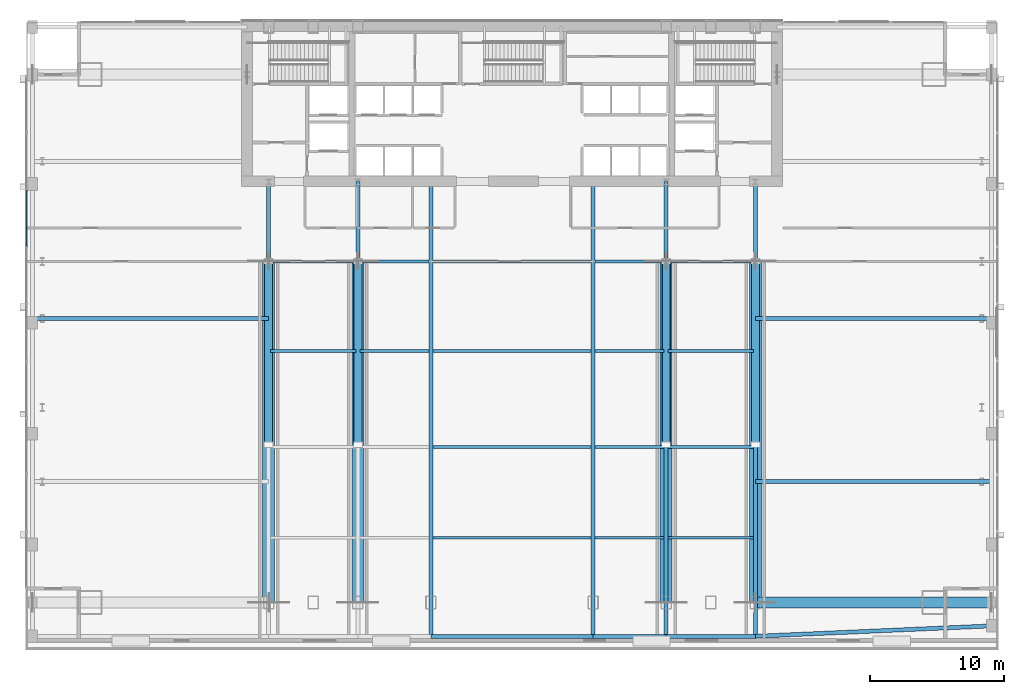
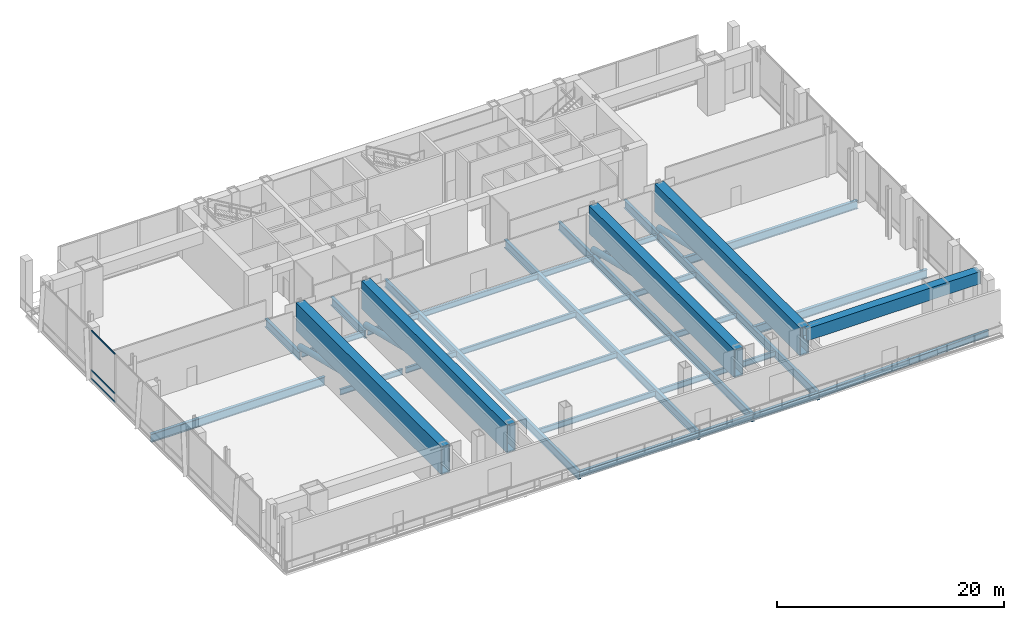
# One storey, part 9 of 26: 36 beams, 7 members, 1 element without a shape of its own.
"""IFC4 building model written with IfcOpenShell, lengths in metres."""

from ifc_helpers import new_model, si_unit, direction, frame, origin, origin_2d, place, context, subcontext, project, spatial, hollow_rectangle, hollow_circle, i_section, extrude, material, material_profile, profile_set, type_object, element, aggregate, save


model = new_model("IFC4")

# Units and contexts
model_context = context("Model", 3, precision=1e-05, world=origin(), true_north=direction((0.0, 1.0)))
body_context = subcontext(model_context, "Body", "Model", "MODEL_VIEW")
ifc_project = project(units=[si_unit("LENGTHUNIT", "METRE"), si_unit("AREAUNIT", "SQUARE_METRE"), si_unit("VOLUMEUNIT", "CUBIC_METRE"), si_unit("PLANEANGLEUNIT", "RADIAN"), si_unit("MASSUNIT", "GRAM", prefix="KILO")], contexts=[model_context])

# Site, building, storey
site_placement = place(None, origin())
site = spatial("IfcSite", under=ifc_project, at=site_placement, CompositionType="ELEMENT")
building_placement = place(site_placement, origin())
building = spatial("IfcBuilding", under=site, at=building_placement, Name="Khoronbel Lancet Exchange", CompositionType="ELEMENT")
storey_placement = place(building_placement, frame((0.0, 0.0, 20.39990234375)))
storey = spatial("IfcBuildingStorey", under=building, at=storey_placement, Name="L04", CompositionType="ELEMENT", Elevation=20.39990234375)

# Beams
ifc_material_1 = material(Name="Steel S355", Category="steel")
ifc_material_profile_1 = material_profile(ifc_material_1, i_section(OverallWidth=0.300048828125, OverallDepth=0.89990234375, WebThickness=0.0185546875, FlangeThickness=0.034912109375, at=origin_2d()), Name="HEB 900")
ifc_profile_set_1 = profile_set([ifc_material_profile_1], Name="Steel S355")
beam_type_1 = type_object("IfcBeamType", Name="BM-BG1", PredefinedType="BEAM", material=ifc_profile_set_1)
for number, where, z_axis, x_axis, name in (
    (1, (18.22509765625, 35.699951171875, -0.669921875), (0.0, 1.0, 0.0), (-1.0, 0.0, 0.0), "Level L04 spine tie girder GN1"),
    (2, (24.89990234375, 35.699951171875, -0.669921875), (0.0, 1.0, 0.0), (-1.0, 0.0, 0.0), "Level L04 spine tie girder GN2"),
):
    element("IfcBeam", number, at=place(storey_placement, frame(where, z_axis=z_axis, x_axis=x_axis)), inside=storey, type_object=beam_type_1, Name=name, PredefinedType="BEAM", context=body_context, shape_type="SweptSolid", body=[
        extrude(i_section(OverallWidth=0.300048828125, OverallDepth=0.89990234375, WebThickness=0.0185546875, FlangeThickness=0.034912109375, at=origin_2d()), origin(), (0.0, 0.0, 1.0), 6.0),
    ])
for number, where, z_axis, x_axis, name in (
    (3, (30.375, 7.6201171875, -0.669921875), (0.0, 1.0, 0.0), (-1.0, 0.0, 0.0), "Level L04 primary floor girder G3"),
    (4, (42.52490234375, 7.6201171875, -0.669921875), (0.0, 1.0, 0.0), (-1.0, 0.0, 0.0), "Level L04 primary floor girder G4"),
):
    element("IfcBeam", number, at=place(storey_placement, frame(where, z_axis=z_axis, x_axis=x_axis)), inside=storey, type_object=beam_type_1, Name=name, PredefinedType="BEAM", context=body_context, shape_type="SweptSolid", body=[
        extrude(i_section(OverallWidth=0.300048828125, OverallDepth=0.89990234375, WebThickness=0.0185546875, FlangeThickness=0.034912109375, at=origin_2d()), origin(), (0.0, 0.0, 1.0), 34.079833984375),
    ])
beam_1_placement = place(storey_placement, frame((48.0, 7.6201171875, -0.669921875), z_axis=(0.0, 1.0, 0.0), x_axis=(-1.0, 0.0, 0.0)))
element("IfcBeam", 5, at=beam_1_placement, inside=storey, type_object=beam_type_1, Name="Level L04 south primary girder GS5", PredefinedType="BEAM", context=body_context, shape_type="SweptSolid", body=[
    extrude(i_section(OverallWidth=0.300048828125, OverallDepth=0.89990234375, WebThickness=0.0185546875, FlangeThickness=0.034912109375, at=origin_2d()), origin(), (0.0, 0.0, 1.0), 28.079833984375),
])
beam_2_placement = place(storey_placement, frame((48.0, 35.699951171875, -0.669921875), z_axis=(0.0, 1.0, 0.0), x_axis=(-1.0, 0.0, 0.0)))
element("IfcBeam", 6, at=beam_2_placement, inside=storey, type_object=beam_type_1, Name="Level L04 spine tie girder GN5", PredefinedType="BEAM", context=body_context, shape_type="SweptSolid", body=[
    extrude(i_section(OverallWidth=0.300048828125, OverallDepth=0.89990234375, WebThickness=0.0185546875, FlangeThickness=0.034912109375, at=origin_2d()), origin(), (0.0, 0.0, 1.0), 6.0),
])
beam_3_placement = place(storey_placement, frame((54.675048828125, 7.6201171875, -0.669921875), z_axis=(0.0, 1.0, 0.0), x_axis=(-1.0, 0.0, 0.0)))
element("IfcBeam", 7, at=beam_3_placement, inside=storey, type_object=beam_type_1, Name="Level L04 south primary girder GS6", PredefinedType="BEAM", context=body_context, shape_type="SweptSolid", body=[
    extrude(i_section(OverallWidth=0.300048828125, OverallDepth=0.89990234375, WebThickness=0.0185546875, FlangeThickness=0.034912109375, at=origin_2d()), origin(), (0.0, 0.0, 1.0), 28.079833984375),
])
beam_4_placement = place(storey_placement, frame((54.675048828125, 35.699951171875, -0.669921875), z_axis=(0.0, 1.0, 0.0), x_axis=(-1.0, 0.0, 0.0)))
element("IfcBeam", 8, at=beam_4_placement, inside=storey, type_object=beam_type_1, Name="Level L04 spine tie girder GN6", PredefinedType="BEAM", context=body_context, shape_type="SweptSolid", body=[
    extrude(i_section(OverallWidth=0.300048828125, OverallDepth=0.89990234375, WebThickness=0.0185546875, FlangeThickness=0.034912109375, at=origin_2d()), origin(), (0.0, 0.0, 1.0), 6.0),
])
for number, where, z_axis, x_axis, name in (
    (9, (54.675048828125, 19.199951171875, -0.669921875), (1.0, 0.0, 0.0), (0.0, 1.0, 0.0), "Level L04 east lens tie girder LG1E"),
    (10, (0.550048828125, 31.425048828125, -0.669921875), (1.0, 0.0, 0.0), (0.0, 1.0, 0.0), "Level L04 west lens tie girder LG2W"),
    (11, (54.675048828125, 31.425048828125, -0.669921875), (1.0, 0.0, 0.0), (0.0, 1.0, 0.0), "Level L04 east lens tie girder LG2E"),
):
    element("IfcBeam", number, at=place(storey_placement, frame(where, z_axis=z_axis, x_axis=x_axis)), inside=storey, type_object=beam_type_1, Name=name, PredefinedType="BEAM", context=body_context, shape_type="SweptSolid", body=[
        extrude(i_section(OverallWidth=0.300048828125, OverallDepth=0.89990234375, WebThickness=0.0185546875, FlangeThickness=0.034912109375, at=origin_2d()), origin(), (0.0, 0.0, 1.0), 17.675048828125),
    ])
ifc_material_profile_2 = material_profile(ifc_material_1, i_section(OverallWidth=0.219970703125, OverallDepth=0.60009765625, WebThickness=0.011962890625, FlangeThickness=0.01904296875, at=origin_2d()), Name="IPE 600")
ifc_profile_set_2 = profile_set([ifc_material_profile_2], Name="Steel S355")
beam_type_2 = type_object("IfcBeamType", Name="BM-BJ1", PredefinedType="JOIST", material=ifc_profile_set_2)
beam_5_placement = place(storey_placement, frame((30.52490234375, 15.0, -0.52001953125), z_axis=(1.0, 0.0, 0.0), x_axis=(0.0, 1.0, 0.0)))
element("IfcBeam", 12, at=beam_5_placement, inside=storey, type_object=beam_type_2, Name="Level L04 secondary composite joist J03", PredefinedType="JOIST", context=body_context, shape_type="SweptSolid", body=[
    extrude(i_section(OverallWidth=0.219970703125, OverallDepth=0.60009765625, WebThickness=0.011962890625, FlangeThickness=0.01904296875, at=origin_2d()), origin(), (0.0, 0.0, 1.0), 11.85009765625),
])
beam_6_placement = place(storey_placement, frame((42.675048828125, 15.0, -0.52001953125), z_axis=(1.0, 0.0, 0.0), x_axis=(0.0, 1.0, 0.0)))
element("IfcBeam", 13, at=beam_6_placement, inside=storey, type_object=beam_type_2, Name="Level L04 secondary composite joist J04", PredefinedType="JOIST", context=body_context, shape_type="SweptSolid", body=[
    extrude(i_section(OverallWidth=0.219970703125, OverallDepth=0.60009765625, WebThickness=0.011962890625, FlangeThickness=0.01904296875, at=origin_2d()), origin(), (0.0, 0.0, 1.0), 5.175048828125),
])
beam_7_placement = place(storey_placement, frame((48.14990234375, 15.0, -0.52001953125), z_axis=(1.0, 0.0, 0.0), x_axis=(0.0, 1.0, 0.0)))
element("IfcBeam", 14, at=beam_7_placement, inside=storey, type_object=beam_type_2, Name="Level L04 secondary composite joist J05", PredefinedType="JOIST", context=body_context, shape_type="SweptSolid", body=[
    extrude(i_section(OverallWidth=0.219970703125, OverallDepth=0.60009765625, WebThickness=0.011962890625, FlangeThickness=0.01904296875, at=origin_2d()), origin(), (0.0, 0.0, 1.0), 6.375),
])
beam_8_placement = place(storey_placement, frame((30.52490234375, 21.800048828125, -0.52001953125), z_axis=(1.0, 0.0, 0.0), x_axis=(0.0, 1.0, 0.0)))
element("IfcBeam", 15, at=beam_8_placement, inside=storey, type_object=beam_type_2, Name="Level L04 secondary composite joist J08", PredefinedType="JOIST", context=body_context, shape_type="SweptSolid", body=[
    extrude(i_section(OverallWidth=0.219970703125, OverallDepth=0.60009765625, WebThickness=0.011962890625, FlangeThickness=0.01904296875, at=origin_2d()), origin(), (0.0, 0.0, 1.0), 11.85009765625),
])
beam_9_placement = place(storey_placement, frame((42.675048828125, 21.800048828125, -0.52001953125), z_axis=(1.0, 0.0, 0.0), x_axis=(0.0, 1.0, 0.0)))
element("IfcBeam", 16, at=beam_9_placement, inside=storey, type_object=beam_type_2, Name="Level L04 secondary composite joist J09", PredefinedType="JOIST", context=body_context, shape_type="SweptSolid", body=[
    extrude(i_section(OverallWidth=0.219970703125, OverallDepth=0.60009765625, WebThickness=0.011962890625, FlangeThickness=0.01904296875, at=origin_2d()), origin(), (0.0, 0.0, 1.0), 5.175048828125),
])
for number, where, z_axis, x_axis, name in (
    (17, (48.14990234375, 21.800048828125, -0.52001953125), (1.0, 0.0, 0.0), (0.0, 1.0, 0.0), "Level L04 secondary composite joist J10"),
    (18, (18.375, 29.0, -0.52001953125), (1.0, 0.0, 0.0), (0.0, 1.0, 0.0), "Level L04 secondary composite joist J11"),
):
    element("IfcBeam", number, at=place(storey_placement, frame(where, z_axis=z_axis, x_axis=x_axis)), inside=storey, type_object=beam_type_2, Name=name, PredefinedType="JOIST", context=body_context, shape_type="SweptSolid", body=[
        extrude(i_section(OverallWidth=0.219970703125, OverallDepth=0.60009765625, WebThickness=0.011962890625, FlangeThickness=0.01904296875, at=origin_2d()), origin(), (0.0, 0.0, 1.0), 6.375),
    ])
beam_10_placement = place(storey_placement, frame((25.050048828125, 29.0, -0.52001953125), z_axis=(1.0, 0.0, 0.0), x_axis=(0.0, 1.0, 0.0)))
element("IfcBeam", 19, at=beam_10_placement, inside=storey, type_object=beam_type_2, Name="Level L04 secondary composite joist J12", PredefinedType="JOIST", context=body_context, shape_type="SweptSolid", body=[
    extrude(i_section(OverallWidth=0.219970703125, OverallDepth=0.60009765625, WebThickness=0.011962890625, FlangeThickness=0.01904296875, at=origin_2d()), origin(), (0.0, 0.0, 1.0), 5.175048828125),
])
beam_11_placement = place(storey_placement, frame((30.52490234375, 29.0, -0.52001953125), z_axis=(1.0, 0.0, 0.0), x_axis=(0.0, 1.0, 0.0)))
element("IfcBeam", 20, at=beam_11_placement, inside=storey, type_object=beam_type_2, Name="Level L04 secondary composite joist J13", PredefinedType="JOIST", context=body_context, shape_type="SweptSolid", body=[
    extrude(i_section(OverallWidth=0.219970703125, OverallDepth=0.60009765625, WebThickness=0.011962890625, FlangeThickness=0.01904296875, at=origin_2d()), origin(), (0.0, 0.0, 1.0), 11.85009765625),
])
beam_12_placement = place(storey_placement, frame((42.675048828125, 29.0, -0.52001953125), z_axis=(1.0, 0.0, 0.0), x_axis=(0.0, 1.0, 0.0)))
element("IfcBeam", 21, at=beam_12_placement, inside=storey, type_object=beam_type_2, Name="Level L04 secondary composite joist J14", PredefinedType="JOIST", context=body_context, shape_type="SweptSolid", body=[
    extrude(i_section(OverallWidth=0.219970703125, OverallDepth=0.60009765625, WebThickness=0.011962890625, FlangeThickness=0.01904296875, at=origin_2d()), origin(), (0.0, 0.0, 1.0), 5.175048828125),
])
for number, where, z_axis, x_axis, name in (
    (22, (48.14990234375, 29.0, -0.52001953125), (1.0, 0.0, 0.0), (0.0, 1.0, 0.0), "Level L04 secondary composite joist J15"),
    (23, (18.375, 35.699951171875, -0.52001953125), (1.0, 0.0, 0.0), (0.0, 1.0, 0.0), "Level L04 secondary composite joist J16"),
):
    element("IfcBeam", number, at=place(storey_placement, frame(where, z_axis=z_axis, x_axis=x_axis)), inside=storey, type_object=beam_type_2, Name=name, PredefinedType="JOIST", context=body_context, shape_type="SweptSolid", body=[
        extrude(i_section(OverallWidth=0.219970703125, OverallDepth=0.60009765625, WebThickness=0.011962890625, FlangeThickness=0.01904296875, at=origin_2d()), origin(), (0.0, 0.0, 1.0), 6.375),
    ])
beam_13_placement = place(storey_placement, frame((25.050048828125, 35.699951171875, -0.52001953125), z_axis=(1.0, 0.0, 0.0), x_axis=(0.0, 1.0, 0.0)))
element("IfcBeam", 24, at=beam_13_placement, inside=storey, type_object=beam_type_2, Name="Level L04 secondary composite joist J17", PredefinedType="JOIST", context=body_context, shape_type="SweptSolid", body=[
    extrude(i_section(OverallWidth=0.219970703125, OverallDepth=0.60009765625, WebThickness=0.011962890625, FlangeThickness=0.01904296875, at=origin_2d()), origin(), (0.0, 0.0, 1.0), 5.175048828125),
])
beam_14_placement = place(storey_placement, frame((30.52490234375, 35.699951171875, -0.52001953125), z_axis=(1.0, 0.0, 0.0), x_axis=(0.0, 1.0, 0.0)))
element("IfcBeam", 25, at=beam_14_placement, inside=storey, type_object=beam_type_2, Name="Level L04 secondary composite joist J18", PredefinedType="JOIST", context=body_context, shape_type="SweptSolid", body=[
    extrude(i_section(OverallWidth=0.219970703125, OverallDepth=0.60009765625, WebThickness=0.011962890625, FlangeThickness=0.01904296875, at=origin_2d()), origin(), (0.0, 0.0, 1.0), 11.85009765625),
])
beam_15_placement = place(storey_placement, frame((42.675048828125, 35.699951171875, -0.52001953125), z_axis=(1.0, 0.0, 0.0), x_axis=(0.0, 1.0, 0.0)))
element("IfcBeam", 26, at=beam_15_placement, inside=storey, type_object=beam_type_2, Name="Level L04 secondary composite joist J19", PredefinedType="JOIST", context=body_context, shape_type="SweptSolid", body=[
    extrude(i_section(OverallWidth=0.219970703125, OverallDepth=0.60009765625, WebThickness=0.011962890625, FlangeThickness=0.01904296875, at=origin_2d()), origin(), (0.0, 0.0, 1.0), 5.175048828125),
])
beam_16_placement = place(storey_placement, frame((48.14990234375, 35.699951171875, -0.52001953125), z_axis=(1.0, 0.0, 0.0), x_axis=(0.0, 1.0, 0.0)))
element("IfcBeam", 27, at=beam_16_placement, inside=storey, type_object=beam_type_2, Name="Level L04 secondary composite joist J20", PredefinedType="JOIST", context=body_context, shape_type="SweptSolid", body=[
    extrude(i_section(OverallWidth=0.219970703125, OverallDepth=0.60009765625, WebThickness=0.011962890625, FlangeThickness=0.01904296875, at=origin_2d()), origin(), (0.0, 0.0, 1.0), 6.375),
])
ifc_material_profile_3 = material_profile(ifc_material_1, i_section(OverallWidth=0.300048828125, OverallDepth=0.64990234375, WebThickness=0.01611328125, FlangeThickness=0.031005859375, at=origin_2d()), Name="HEB 650")
ifc_profile_set_3 = profile_set([ifc_material_profile_3], Name="Steel S355")
beam_type_3 = type_object("IfcBeamType", Name="BM-BSP1", PredefinedType="SPANDREL", material=ifc_profile_set_3)
beam_17_placement = place(storey_placement, frame((30.375, 7.6201171875, -0.544921875), z_axis=(1.0, 0.0, 0.0), x_axis=(0.0, 1.0, 0.0)))
element("IfcBeam", 28, at=beam_17_placement, inside=storey, type_object=beam_type_3, Name="Level L04 perimeter spandrel beam SP04", PredefinedType="SPANDREL", context=body_context, shape_type="SweptSolid", body=[
    extrude(i_section(OverallWidth=0.300048828125, OverallDepth=0.64990234375, WebThickness=0.01611328125, FlangeThickness=0.031005859375, at=origin_2d()), origin(), (0.0, 0.0, 1.0), 12.14990234375),
])
beam_18_placement = place(storey_placement, frame((42.52490234375, 7.6201171875, -0.544921875), z_axis=(1.0, 0.0, 0.0), x_axis=(0.0, 1.0, 0.0)))
element("IfcBeam", 29, at=beam_18_placement, inside=storey, type_object=beam_type_3, Name="Level L04 perimeter spandrel beam SP05", PredefinedType="SPANDREL", context=body_context, shape_type="SweptSolid", body=[
    extrude(i_section(OverallWidth=0.300048828125, OverallDepth=0.64990234375, WebThickness=0.01611328125, FlangeThickness=0.031005859375, at=origin_2d()), origin(), (0.0, 0.0, 1.0), 5.47509765625),
])
beam_19_placement = place(storey_placement, frame((48.0, 7.6201171875, -0.544921875), z_axis=(1.0, 0.0, 0.0), x_axis=(0.0, 1.0, 0.0)))
element("IfcBeam", 30, at=beam_19_placement, inside=storey, type_object=beam_type_3, Name="Level L04 perimeter spandrel beam SP06", PredefinedType="SPANDREL", context=body_context, shape_type="SweptSolid", body=[
    extrude(i_section(OverallWidth=0.300048828125, OverallDepth=0.64990234375, WebThickness=0.01611328125, FlangeThickness=0.031005859375, at=origin_2d()), origin(), (0.0, 0.0, 1.0), 6.675048828125),
])
beam_20_placement = place(storey_placement, frame((54.675048828125, 7.6201171875, -0.544921875), z_axis=(0.999028226002, 0.044074977608, 0.0), x_axis=(-0.044074977608, 0.999028226002, 0.0)))
element("IfcBeam", 31, at=beam_20_placement, inside=storey, type_object=beam_type_3, Name="Level L04 perimeter spandrel beam SP07", PredefinedType="SPANDREL", context=body_context, shape_type="SweptSolid", body=[
    extrude(i_section(OverallWidth=0.300048828125, OverallDepth=0.64990234375, WebThickness=0.01611328125, FlangeThickness=0.031005859375, at=origin_2d()), origin(), (0.0, 0.0, 1.0), 17.692138671875),
])
ifc_material_2 = material(Name="Steel S460", Category="steel")
ifc_material_profile_4 = material_profile(ifc_material_2, hollow_rectangle(XDim=0.89990234375, YDim=3.0, WallThickness=0.074951171875, at=origin_2d()), Name="BOX 900x3000x75")
ifc_profile_set_4 = profile_set([ifc_material_profile_4], Name="Steel S460")
beam_type_4 = type_object("IfcBeamType", Name="BM-TG1", PredefinedType="USERDEFINED", material=ifc_profile_set_4)
for number, where, z_axis, x_axis, name in (
    (32, (18.22509765625, 10.14990234375, 3.72021484375), (0.0, 1.0, 0.0), (-1.0, 0.0, 0.0), "Exchange Hall S460 transfer girder TG1"),
    (33, (24.89990234375, 10.14990234375, 3.72021484375), (0.0, 1.0, 0.0), (-1.0, 0.0, 0.0), "Exchange Hall S460 transfer girder TG2"),
    (34, (48.0, 10.14990234375, 3.72021484375), (0.0, 1.0, 0.0), (-1.0, 0.0, 0.0), "Exchange Hall S460 transfer girder TG3"),
    (35, (54.675048828125, 10.14990234375, 3.72021484375), (0.0, 1.0, 0.0), (-1.0, 0.0, 0.0), "Exchange Hall S460 transfer girder TG4"),
):
    element("IfcBeam", number, at=place(storey_placement, frame(where, z_axis=z_axis, x_axis=x_axis)), inside=storey, type_object=beam_type_4, Name=name, ObjectType="TRANSFER GIRDER", PredefinedType="USERDEFINED", context=body_context, shape_type="SweptSolid", body=[
        extrude(hollow_rectangle(XDim=0.89990234375, YDim=3.0, WallThickness=0.074951171875, at=origin_2d()), origin(), (0.0, 0.0, 1.0), 25.550048828125),
    ])
ifc_material_profile_5 = material_profile(ifc_material_2, hollow_rectangle(XDim=0.820068359375, YDim=1.320068359375, WallThickness=0.070068359375, at=origin_2d()), Name="BOX 820x1320x70")
ifc_profile_set_5 = profile_set([ifc_material_profile_5], Name="Steel S460")
beam_type_5 = type_object("IfcBeamType", Name="BM-TG4", PredefinedType="USERDEFINED", material=ifc_profile_set_5)
beam_21_placement = place(storey_placement, frame((54.675048828125, 10.14990234375, 4.56005859375), z_axis=(1.0, 0.0, 0.0), x_axis=(0.0, 1.0, 0.0)))
element("IfcBeam", 36, at=beam_21_placement, inside=storey, type_object=beam_type_5, Name="L04 podium-to-tower corner transfer girder SE", ObjectType="TRANSFER GIRDER", PredefinedType="USERDEFINED", context=body_context, shape_type="SweptSolid", body=[
    extrude(hollow_rectangle(XDim=0.820068359375, YDim=1.320068359375, WallThickness=0.070068359375, at=origin_2d()), origin(), (0.0, 0.0, 1.0), 17.675048828125),
])

# Curtain wall, members
ifc_material_3 = material(Name="Low-E Solar Control Insulating Glass", Category="glass")
curtain_wall_type = type_object("IfcCurtainWallType", Name="CW-5", PredefinedType="NOTDEFINED", material=ifc_material_3)
curtain_wall_placement = place(storey_placement, origin())
curtain_wall = element("IfcCurtainWall", 37, at=curtain_wall_placement, inside=storey, type_object=curtain_wall_type, Name="Unitised curtain wall CW-L04-WEST", PredefinedType="NOTDEFINED")
ifc_material_4 = material(Name="Bronze-Anodised Aluminium 6063-T6", Category="aluminium")
ifc_material_profile_6 = material_profile(ifc_material_4, hollow_rectangle(XDim=0.074951171875, YDim=0.14990234375, WallThickness=0.00439453125, at=origin_2d()), Name="ALU TRANSOM 75x150")
ifc_profile_set_6 = profile_set([ifc_material_profile_6], Name="Bronze-Anodised Aluminium 6063-T6")
member_type_1 = type_object("IfcMemberType", Name="MEM-CWT2", PredefinedType="USERDEFINED", material=ifc_profile_set_6)
member_1_placement = place(storey_placement, frame((0.10009765625, 41.024169921875, 0.03759765625), z_axis=(0.0, -1.0, 0.0), x_axis=(1.0, 0.0, 0.0)))
member_1 = element("IfcMember", 38, at=member_1_placement, type_object=member_type_1, Name="CW5 transom 3.1", ObjectType="TRANSOM", PredefinedType="USERDEFINED", context=body_context, shape_type="SweptSolid", body=[
    extrude(hollow_rectangle(XDim=0.074951171875, YDim=0.14990234375, WallThickness=0.00439453125, at=origin_2d()), origin(), (0.0, 0.0, 1.0), 4.181640625),
])
member_2_placement = place(storey_placement, frame((0.10009765625, 41.024169921875, 0.9501953125), z_axis=(0.0, -1.0, 0.0), x_axis=(1.0, 0.0, 0.0)))
member_2 = element("IfcMember", 39, at=member_2_placement, type_object=member_type_1, Name="CW5 transom 3.2", ObjectType="TRANSOM", PredefinedType="USERDEFINED", context=body_context, shape_type="SweptSolid", body=[
    extrude(hollow_rectangle(XDim=0.074951171875, YDim=0.14990234375, WallThickness=0.00439453125, at=origin_2d()), origin(), (0.0, 0.0, 1.0), 4.181640625),
])
member_3_placement = place(storey_placement, frame((0.10009765625, 41.024169921875, 5.1826171875), z_axis=(0.0, -1.0, 0.0), x_axis=(1.0, 0.0, 0.0)))
member_3 = element("IfcMember", 40, at=member_3_placement, type_object=member_type_1, Name="CW5 transom 3.3", ObjectType="TRANSOM", PredefinedType="USERDEFINED", context=body_context, shape_type="SweptSolid", body=[
    extrude(hollow_rectangle(XDim=0.074951171875, YDim=0.14990234375, WallThickness=0.00439453125, at=origin_2d()), origin(), (0.0, 0.0, 1.0), 4.181640625),
])
aggregate(curtain_wall, [member_1, member_2, member_3])

# Members
ifc_material_profile_7 = material_profile(ifc_material_2, hollow_circle(Radius=0.304931640625, WallThickness=0.031982421875, at=origin_2d()), Name="CHS 610x32")
ifc_profile_set_7 = profile_set([ifc_material_profile_7], Name="Steel S460")
member_type_2 = type_object("IfcMemberType", Name="MEM-OBR1", PredefinedType="BRACE", material=ifc_profile_set_7)
for number, where, z_axis, x_axis, name in (
    (41, (18.22509765625, 35.699951171875, 0.35009765625), (0.0, -0.971050705377, 0.238873455173), (1.0, 0.0, 0.0), "L04 transfer truss web diagonal TRD1"),
    (42, (24.89990234375, 35.699951171875, 0.35009765625), (0.0, -0.971050705377, 0.238873455173), (1.0, 0.0, 0.0), "L04 transfer truss web diagonal TRD2"),
    (43, (48.0, 35.699951171875, 0.35009765625), (0.0, -0.971050705377, 0.238873455173), (1.0, 0.0, 0.0), "L04 transfer truss web diagonal TRD3"),
    (44, (54.675048828125, 35.699951171875, 0.35009765625), (0.0, -0.971050705377, 0.238873455173), (1.0, 0.0, 0.0), "L04 transfer truss web diagonal TRD4"),
):
    element("IfcMember", number, at=place(storey_placement, frame(where, z_axis=z_axis, x_axis=x_axis)), inside=storey, type_object=member_type_2, Name=name, PredefinedType="BRACE", context=body_context, shape_type="SweptSolid", body=[
        extrude(hollow_circle(Radius=0.304931640625, WallThickness=0.031982421875, at=origin_2d()), origin(), (0.0, 0.0, 1.0), 14.1083984375),
    ])

save(model, "model.ifc")
